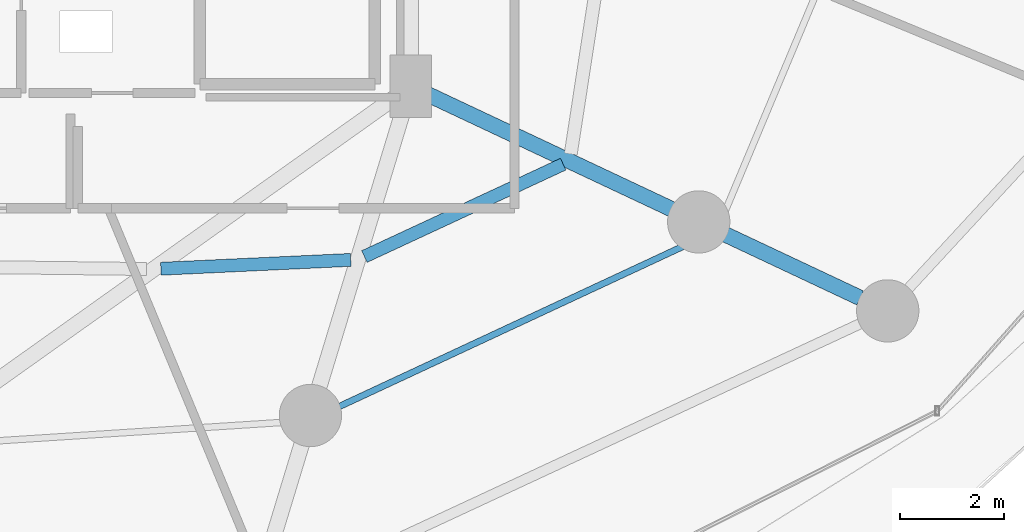
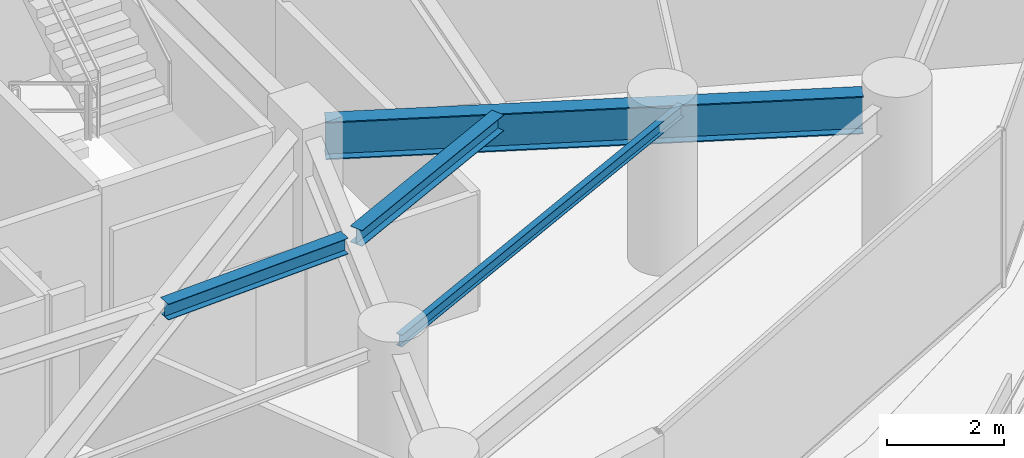
# One storey, part 13 of 35: 4 beams.
"""IFC4 building model written with IfcOpenShell, lengths in metres."""

import ifcopenshell
import ifcopenshell.guid

model = None  # the IFC model being written
_history = None  # IfcOwnerHistory: only IFC2X3 demands one
_inside = {}  # id of a spatial element -> (the spatial element, [elements in it])
_under = {}  # id of a project, library or spatial element -> (it, [spatial elements below it])
_declared = {}  # id of a project -> (the project, [libraries it declares])
_typed = {}  # id of a type object -> (the type object, [elements of that type])
_made_of = {}  # id of a material, layer set ... -> (it, [elements and type objects made of it])


def new_model(schema):
    """Start an empty IFC model of exactly this schema.

    Asked for "IFC4X3", IfcOpenShell would pick the latest addendum, in which some entities
    have other attributes; the version numbers below select the first issue.
    IFC2X3 requires an IfcOwnerHistory on every rooted entity: one is made here for all.
    """
    global model, _history
    if schema == "IFC4X3":
        model = ifcopenshell.file(schema_version=(4, 3, 0, 0))
    else:
        model = ifcopenshell.file(schema=schema)
    _inside.clear()
    _under.clear()
    _declared.clear()
    _typed.clear()
    _made_of.clear()
    _history = None
    if model.schema == "IFC2X3":
        org = make("IfcOrganization", Name="unknown")
        user = make(
            "IfcPersonAndOrganization",
            ThePerson=make("IfcPerson", FamilyName="unknown"),
            TheOrganization=org,
        )
        app = make(
            "IfcApplication",
            ApplicationDeveloper=org,
            Version="unknown",
            ApplicationFullName="unknown",
            ApplicationIdentifier="unknown",
        )
        _history = make(
            "IfcOwnerHistory",
            OwningUser=user,
            OwningApplication=app,
            ChangeAction="ADDED",
            CreationDate=0,
        )
    return model


def make(cls, **values):
    """One entity of the class cls with the attributes given. An attribute that is None is left unset."""
    return model.create_entity(
        cls, **{name: value for name, value in values.items() if value is not None}
    )


def rooted(cls, **values):
    """An entity with a GlobalId (a new one), such as an element, a storey or a relation."""
    return make(cls, GlobalId=ifcopenshell.guid.new(), OwnerHistory=_history, **values)


def si_unit(unit_type, name, prefix=None):
    """IfcSIUnit, for example si_unit("LENGTHUNIT", "METRE", prefix="MILLI")."""
    return make("IfcSIUnit", UnitType=unit_type, Prefix=prefix, Name=name)


def assignment(units):
    """IfcUnitAssignment: the units of a project."""
    return None if units is None else make("IfcUnitAssignment", Units=units)


def point(xyz):
    """IfcCartesianPoint."""
    return None if xyz is None else make("IfcCartesianPoint", Coordinates=xyz)


def direction(xyz):
    """IfcDirection."""
    return None if xyz is None else make("IfcDirection", DirectionRatios=xyz)


def frame(location, z_axis=None, x_axis=None):
    """IfcAxis2Placement3D, a coordinate frame: its origin and axes. An axis left out is left unset."""
    return make(
        "IfcAxis2Placement3D",
        Location=point(location),
        Axis=direction(z_axis),
        RefDirection=direction(x_axis),
    )


def frame_2d(location, x_axis=None):
    """IfcAxis2Placement2D, a coordinate frame in the plane: its origin and x axis."""
    return make(
        "IfcAxis2Placement2D", Location=point(location), RefDirection=direction(x_axis)
    )


def origin():
    """The frame at (0, 0, 0) with its axes left unset."""
    return frame((0.0, 0.0, 0.0))


def origin_2d():
    """The frame at (0, 0) in the plane with its x axis left unset."""
    return frame_2d((0.0, 0.0))


def place(relative_to, where):
    """IfcLocalPlacement: puts the frame where relative to a parent placement (None: the world)."""
    return make(
        "IfcLocalPlacement", PlacementRelTo=relative_to, RelativePlacement=where
    )


def context(
    kind, dimensions, precision=None, world=None, true_north=None, identifier=None
):
    """IfcGeometricRepresentationContext, for example the 3D "Model" context."""
    return make(
        "IfcGeometricRepresentationContext",
        ContextIdentifier=identifier,
        ContextType=kind,
        CoordinateSpaceDimension=dimensions,
        Precision=precision,
        WorldCoordinateSystem=world,
        TrueNorth=true_north,
    )


def subcontext(parent, identifier, kind, view, scale=None):
    """IfcGeometricRepresentationSubContext, for example "Body" below "Model"."""
    return make(
        "IfcGeometricRepresentationSubContext",
        ContextIdentifier=identifier,
        ContextType=kind,
        ParentContext=parent,
        TargetScale=scale,
        TargetView=view,
    )


def project(units=None, contexts=None):
    """IfcProject with its units and contexts."""
    return rooted(
        "IfcProject",
        Name="project",
        RepresentationContexts=contexts,
        UnitsInContext=assignment(units),
    )


def spatial(cls, under=None, at=None, **own):
    """A site, building, storey or space (cls), placed at a placement, below another one or the project."""
    s = rooted(cls, ObjectPlacement=at, **own)
    if under is not None:
        _under.setdefault(under.id(), (under, []))[1].append(s)
    return s


def profile(cls, at=None, kind="AREA", **sizes):
    """A parametric profile (cls). Its sizes go by their IFC names, for example OverallWidth=200.0."""
    return make(cls, ProfileType=kind, Position=at, **sizes)


def i_section(**sizes):
    """IfcIShapeProfileDef."""
    return profile("IfcIShapeProfileDef", **sizes)


def extrude(swept, where, along, depth):
    """IfcExtrudedAreaSolid: the profile swept, set in the frame where, extruded along a direction by depth."""
    return make(
        "IfcExtrudedAreaSolid",
        SweptArea=swept,
        Position=where,
        ExtrudedDirection=direction(along),
        Depth=depth,
    )


def shape(context_of_items, identifier, shape_type, items):
    """IfcShapeRepresentation: the items that make up one representation, for example the "Body"."""
    return make(
        "IfcShapeRepresentation",
        ContextOfItems=context_of_items,
        RepresentationIdentifier=identifier,
        RepresentationType=shape_type,
        Items=items,
    )


def material(Name=None, Category=None):
    """IfcMaterial."""
    return make("IfcMaterial", Name=Name, Category=Category)


def material_profile(
    of_material, cross_section, Name=None, Category=None, Priority=None
):
    """IfcMaterialProfile: a cross section and its material."""
    return make(
        "IfcMaterialProfile",
        Name=Name,
        Material=of_material,
        Profile=cross_section,
        Priority=Priority,
        Category=Category,
    )


def profile_set(profiles, Name=None, composite=None):
    """IfcMaterialProfileSet."""
    return make(
        "IfcMaterialProfileSet",
        Name=Name,
        MaterialProfiles=profiles,
        CompositeProfile=composite,
    )


def made_of(thing, what):
    """Note that an element or type object is made of a material, layer set ...; save() writes the relation."""
    if what is not None:
        _made_of.setdefault(what.id(), (what, []))[1].append(thing)
    return thing


def type_object(cls, material=None, **own):
    """A type object (cls), such as IfcWallType, which elements share."""
    return made_of(rooted(cls, **own), material)


def element(
    cls,
    number,
    at=None,
    inside=None,
    cuts=None,
    type_object=None,
    material=None,
    context=None,
    identifier="Body",
    shape_type=None,
    held_by="IfcProductDefinitionShape",
    body=None,
    shapes=None,
    **own,
):
    """One element of the class cls, such as IfcWall. Its Tag is "e" and its number.

    at: its placement. inside: the storey or other place that contains it. cuts: it is an
    opening in that element (IfcRelVoidsElement). A single representation is given by context,
    identifier, shape_type and body (its items); several are given by shapes. held_by: the class
    of the entity that holds the representations. save() writes the other relations.
    """
    e = rooted(cls, Tag="e%d" % number, ObjectPlacement=at, **own)
    if body is not None:
        shapes = [shape(context, identifier, shape_type, body)]
    if shapes is not None:
        e.Representation = make(held_by, Representations=shapes)
    if inside is not None:
        _inside.setdefault(inside.id(), (inside, []))[1].append(e)
    if cuts is not None:
        rooted(
            "IfcRelVoidsElement", RelatingBuildingElement=cuts, RelatedOpeningElement=e
        )
    if type_object is not None:
        _typed.setdefault(type_object.id(), (type_object, []))[1].append(e)
    return made_of(e, material)


def aggregate(whole, parts):
    """IfcRelAggregates: a whole, such as a stair, and the parts it consists of."""
    return rooted("IfcRelAggregates", RelatingObject=whole, RelatedObjects=parts)


def save(model, path):
    """Write the relations noted so far, then the file.

    IfcRelAggregates (storeys below a building ...), IfcRelContainedInSpatialStructure (elements
    in a storey), IfcRelDefinesByType, IfcRelAssociatesMaterial and IfcRelDeclares: one each for
    every whole, place, type object, material and project.
    """
    for whole, parts in _under.values():
        aggregate(whole, parts)
    for where, things in _inside.values():
        rooted(
            "IfcRelContainedInSpatialStructure",
            RelatedElements=things,
            RelatingStructure=where,
        )
    for kind, things in _typed.values():
        rooted("IfcRelDefinesByType", RelatedObjects=things, RelatingType=kind)
    for what, things in _made_of.values():
        rooted("IfcRelAssociatesMaterial", RelatedObjects=things, RelatingMaterial=what)
    for by, libraries in _declared.values():
        rooted("IfcRelDeclares", RelatingContext=by, RelatedDefinitions=libraries)
    model.write(path)


model = new_model("IFC4")

# Units and contexts
model_context = context("Model", 3, precision=1e-05, world=origin(), true_north=direction((0.0, 1.0)))
body_context = subcontext(model_context, "Body", "Model", "MODEL_VIEW")
ifc_project = project(units=[si_unit("LENGTHUNIT", "METRE"), si_unit("AREAUNIT", "SQUARE_METRE"), si_unit("VOLUMEUNIT", "CUBIC_METRE"), si_unit("PLANEANGLEUNIT", "RADIAN"), si_unit("MASSUNIT", "GRAM", prefix="KILO")], contexts=[model_context])

# Site, building, storey
site_placement = place(None, origin())
site = spatial("IfcSite", under=ifc_project, at=site_placement, CompositionType="ELEMENT")
building_placement = place(site_placement, origin())
building = spatial("IfcBuilding", under=site, at=building_placement, Name="Vorneva Point Tower", CompositionType="ELEMENT")
storey_placement = place(building_placement, frame((0.0, 0.0, 52.0)))
storey = spatial("IfcBuildingStorey", under=building, at=storey_placement, Name="L13", CompositionType="ELEMENT", Elevation=52.0)

# Beams
ifc_material = material(Name="Steel S355", Category="steel")
ifc_material_profile_1 = material_profile(ifc_material, i_section(OverallWidth=0.300048828125, OverallDepth=0.7880859375, WebThickness=0.014404296875, FlangeThickness=0.02197265625, at=origin_2d()), Name="80Sh1")
ifc_profile_set_1 = profile_set([ifc_material_profile_1], Name="Steel S355")
beam_type_1 = type_object("IfcBeamType", Name="BM-GRD-80Sh1", PredefinedType="USERDEFINED", material=ifc_profile_set_1)
beam_1_placement = place(storey_placement, frame((57.40673828125, 12.37451171875, 2.845947265625), z_axis=(-0.904749139553, 0.425944825627, 0.0), x_axis=(-0.425944825627, -0.904749139553, 0.0)))
element("IfcBeam", 1, at=beam_1_placement, inside=storey, type_object=beam_type_1, Name="L13 Radial Primary Girder 15", ObjectType="GIRDER", PredefinedType="USERDEFINED", context=body_context, shape_type="SweptSolid", body=[
    extrude(i_section(OverallWidth=0.300048828125, OverallDepth=0.7880859375, WebThickness=0.014404296875, FlangeThickness=0.02197265625, at=origin_2d()), origin(), (0.0, 0.0, 1.0), 9.22802734375),
])
ifc_material_profile_2 = material_profile(ifc_material, i_section(OverallWidth=0.1240234375, OverallDepth=0.248046875, WebThickness=0.0048828125, FlangeThickness=0.008056640625, at=origin_2d()), Name="25B1")
ifc_profile_set_2 = profile_set([ifc_material_profile_2], Name="Steel S355")
beam_type_2 = type_object("IfcBeamType", Name="BM-JST-25B1", PredefinedType="JOIST", material=ifc_profile_set_2)
beam_2_placement = place(storey_placement, frame((46.91552734375, 10.06787109375, 3.115966796875), z_axis=(0.906471160493, 0.422267729283, 0.0), x_axis=(-0.422267729283, 0.906471160493, 0.0)))
element("IfcBeam", 2, at=beam_2_placement, inside=storey, type_object=beam_type_2, Name="L13 Secondary Floor Beam 1.14", PredefinedType="JOIST", context=body_context, shape_type="SweptSolid", body=[
    extrude(i_section(OverallWidth=0.1240234375, OverallDepth=0.248046875, WebThickness=0.0048828125, FlangeThickness=0.008056640625, at=origin_2d()), origin(), (0.0, 0.0, 1.0), 8.396240234375),
])
ifc_material_profile_3 = material_profile(ifc_material, i_section(OverallWidth=0.2490234375, OverallDepth=0.333984375, WebThickness=0.008056640625, FlangeThickness=0.010986328125, at=origin_2d()), Name="35Sh1")
ifc_profile_set_3 = profile_set([ifc_material_profile_3], Name="Steel S355")
beam_type_3 = type_object("IfcBeamType", Name="BM-SEC-35Sh1", PredefinedType="BEAM", material=ifc_profile_set_3)
beam_3_placement = place(storey_placement, frame((43.940185546875, 12.935546875, 3.072998046875), z_axis=(0.998909550373, 0.046687366312, 0.0), x_axis=(-0.046687366312, 0.998909550373, 0.0)))
element("IfcBeam", 3, at=beam_3_placement, inside=storey, type_object=beam_type_3, Name="L13 Secondary Floor Beam 2.13", PredefinedType="BEAM", context=body_context, shape_type="SweptSolid", body=[
    extrude(i_section(OverallWidth=0.2490234375, OverallDepth=0.333984375, WebThickness=0.008056640625, FlangeThickness=0.010986328125, at=origin_2d()), origin(), (0.0, 0.0, 1.0), 3.660400390625),
])
beam_4_placement = place(storey_placement, frame((47.85986328125, 13.1708984375, 3.072998046875), z_axis=(0.906844001893, 0.421466435474, 0.0), x_axis=(-0.421466435474, 0.906844001893, 0.0)))
element("IfcBeam", 4, at=beam_4_placement, inside=storey, type_object=beam_type_3, Name="L13 Secondary Floor Beam 2.14", PredefinedType="BEAM", context=body_context, shape_type="SweptSolid", body=[
    extrude(i_section(OverallWidth=0.2490234375, OverallDepth=0.333984375, WebThickness=0.008056640625, FlangeThickness=0.010986328125, at=origin_2d()), origin(), (0.0, 0.0, 1.0), 4.22119140625),
])

save(model, "model.ifc")
